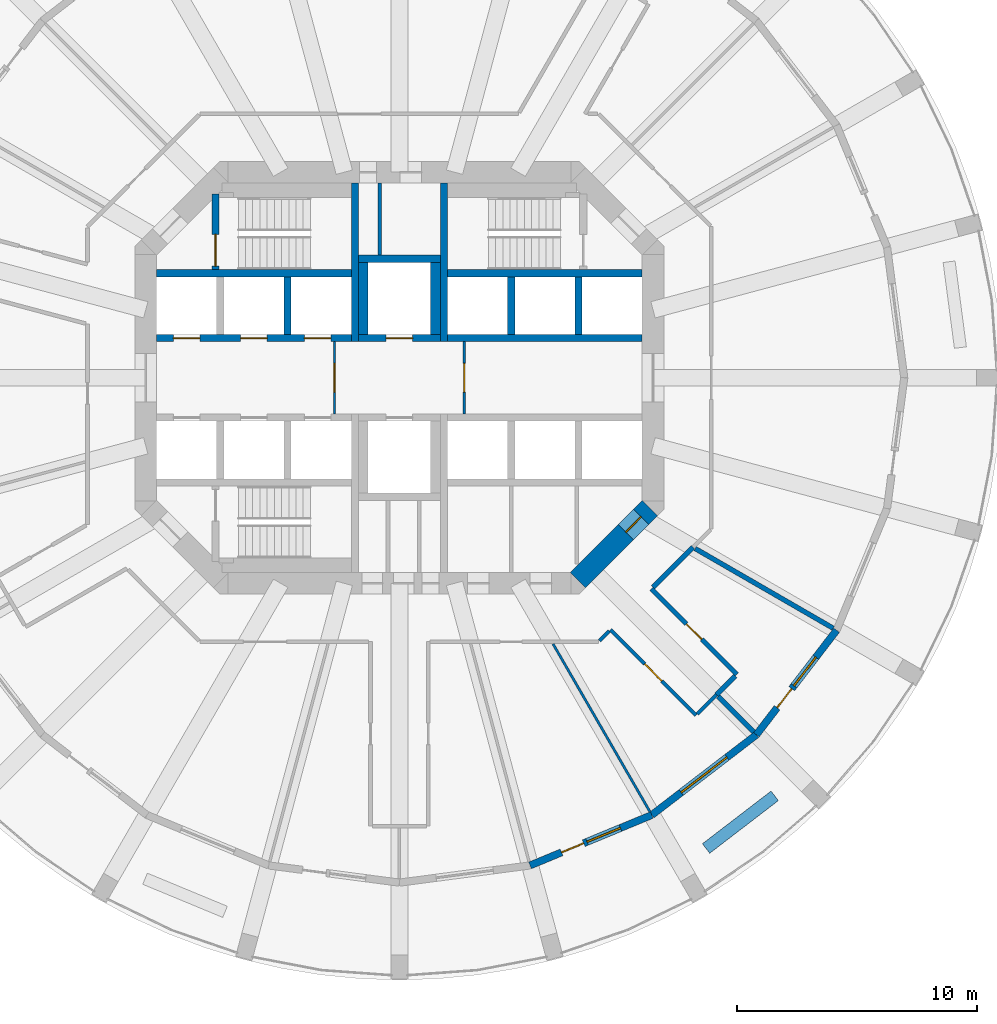
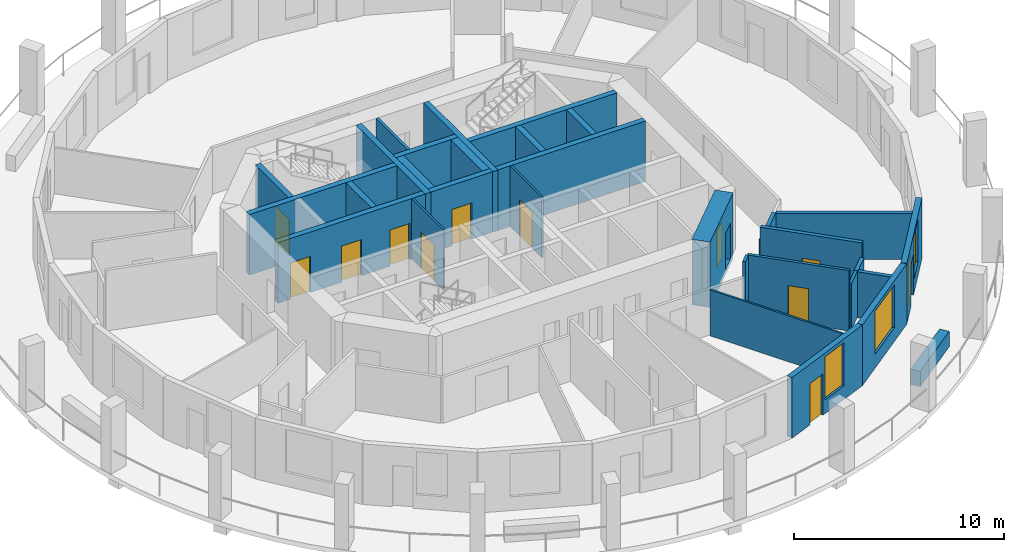
# One storey, part 4 of 8: 31 walls, 12 doors, 3 windows, 15 openings.
"""IFC4 building model written with IfcOpenShell, lengths in metres."""

from ifc_helpers import new_model, si_unit, direction, frame, frame_2d, origin, place, context, subcontext, project, spatial, rectangle, extrude, material, layer, layer_set, type_object, element, fill, save


model = new_model("IFC4")

# Units and contexts
model_context = context("Model", 3, precision=1e-05, world=origin(), true_north=direction((0.0, 1.0)))
body_context = subcontext(model_context, "Body", "Model", "MODEL_VIEW")
ifc_project = project(units=[si_unit("LENGTHUNIT", "METRE"), si_unit("AREAUNIT", "SQUARE_METRE"), si_unit("VOLUMEUNIT", "CUBIC_METRE"), si_unit("PLANEANGLEUNIT", "RADIAN"), si_unit("MASSUNIT", "GRAM", prefix="KILO")], contexts=[model_context])

# Site, building, storey
site_placement = place(None, origin())
site = spatial("IfcSite", under=ifc_project, at=site_placement, CompositionType="ELEMENT")
building_placement = place(site_placement, origin())
building = spatial("IfcBuilding", under=site, at=building_placement, Name="Torre Triforio", CompositionType="ELEMENT")
storey_placement = place(building_placement, frame((0.0, 0.0, 116.199951171875)))
storey = spatial("IfcBuildingStorey", under=building, at=storey_placement, Name="L25", CompositionType="ELEMENT", Elevation=116.199951171875)

# Walls
ifc_material_1 = material(Name="Concrete C60", Category="concrete")
ifc_layer_1 = layer(ifc_material_1, 0.300048828125)
ifc_layer_set_1 = layer_set([ifc_layer_1], Name="Concrete C60")
wall_type_1 = type_object("IfcWallType", Name="Core wall 300 mm C60 EI 120", PredefinedType="SHEAR", material=ifc_layer_set_1)
for number, where, z_axis, x_axis, name in (
    (1, (-1.85009765625, 1.5, 0.0), (0.0, 0.0, 1.0), (0.0, 1.0, 0.0), "Core wall"),
    (2, (1.85009765625, 1.5, 0.0), (0.0, 0.0, 1.0), (0.0, 1.0, 0.0), "Core wall"),
):
    element("IfcWall", number, at=place(storey_placement, frame(where, z_axis=z_axis, x_axis=x_axis)), inside=storey, type_object=wall_type_1, Name=name, PredefinedType="SHEAR", context=body_context, shape_type="SweptSolid", body=[
        extrude(rectangle(XDim=6.60009765625, YDim=0.300048828125, at=frame_2d((3.300048828125, 0.0))), origin(), (0.0, 0.0, 1.0), 3.52001953125),
    ])

# Wall, opening, door
ifc_layer_2 = layer(ifc_material_1, 0.89990234375)
ifc_layer_set_2 = layer_set([ifc_layer_2], Name="Concrete C60")
wall_type_2 = type_object("IfcWallType", Name="Core wall 900 mm C60 EI 120", PredefinedType="SHEAR", material=ifc_layer_set_2)
wall_1_placement = place(storey_placement, frame((10.418212890625, -5.418212890625, -0.280029296875), z_axis=(0.0, 0.0, 1.0), x_axis=(-0.707106781187, -0.707106781187, 0.0)))
wall_1 = element("IfcWall", 3, at=wall_1_placement, inside=storey, type_object=wall_type_2, Name="Core wall", PredefinedType="SHEAR", context=body_context, shape_type="SweptSolid", body=[
    extrude(rectangle(XDim=4.24267578125, YDim=0.89990234375, at=frame_2d((2.121337890625, 0.0))), origin(), (0.0, 0.0, 1.0), 3.800048828125),
])
opening_1_placement = place(wall_1_placement, frame((0.52001953125, 0.0, 0.280029296875)))
opening_1 = element("IfcOpeningElement", 4, at=opening_1_placement, cuts=wall_1, Name="Opening SE-03", PredefinedType="OPENING", context=body_context, shape_type="SweptSolid", body=[
    extrude(rectangle(XDim=0.89990234375, YDim=2.10009765625, at=frame_2d((0.449951171875, 1.050048828125))), frame((0.0, 0.4599609375, 0.0), z_axis=(0.0, -1.0, 0.0), x_axis=(1.0, 0.0, 0.0)), (0.0, 0.0, 1.0), 0.919921875),
])
ifc_material_2 = material(Name="Hollow metal fire door leaf")
door_type_1 = type_object("IfcDoorType", Name="Room door 900 x 2100 EI 60", OperationType="NOTDEFINED", PredefinedType="DOOR", material=ifc_material_2)
door_1_placement = place(opening_1_placement, origin())
door_1 = element("IfcDoor", 5, at=door_1_placement, inside=storey, type_object=door_type_1, Name="Core door SE-03", OperationType="SINGLE_SWING_RIGHT", OverallHeight=2.10009765625, OverallWidth=0.89990234375, PredefinedType="DOOR", context=body_context, shape_type="SweptSolid", body=[
    extrude(rectangle(XDim=0.89990234375, YDim=2.10009765625, at=frame_2d((0.449951171875, 1.050048828125))), frame((0.0, 0.02490234375, 0.0), z_axis=(0.0, -1.0, 0.0), x_axis=(1.0, 0.0, 0.0)), (0.0, 0.0, 1.0), 0.050048828125),
])
fill(opening_1, door_1)

# Wall
ifc_material_3 = material(Name="Plasterboard on metal studs")
ifc_layer_3 = layer(ifc_material_3, 0.14990234375)
ifc_layer_set_3 = layer_set([ifc_layer_3], Name="Plasterboard on metal studs")
wall_type_3 = type_object("IfcWallType", Name="Corridor and tenancy wall 150 mm EI 60", PredefinedType="PARTITIONING", material=ifc_layer_set_3)
wall_2_placement = place(storey_placement, frame((13.1865234375, -13.1865234375, 0.0), z_axis=(0.0, 0.0, 1.0), x_axis=(-0.706998270979, -0.707215274745, 0.0)))
element("IfcWall", 6, at=wall_2_placement, inside=storey, type_object=wall_type_3, Name="Partition 20", PredefinedType="PARTITIONING", context=body_context, shape_type="SweptSolid", body=[
    extrude(rectangle(XDim=1.125, YDim=0.14990234375, at=frame_2d((0.5625, 0.0))), origin(), (0.0, 0.0, 1.0), 2.670166015625),
])

# Wall, opening, door
wall_3_placement = place(storey_placement, frame((12.338134765625, -14.03515625, 0.0), z_axis=(0.0, 0.0, 1.0), x_axis=(-0.707106781187, 0.707106781187, 0.0)))
wall_3 = element("IfcWall", 7, at=wall_3_placement, inside=storey, type_object=wall_type_3, Name="Partition 21", PredefinedType="PARTITIONING", context=body_context, shape_type="SweptSolid", body=[
    extrude(rectangle(XDim=5.025634765625, YDim=0.14990234375, at=frame_2d((2.5126953125, 0.0))), origin(), (0.0, 0.0, 1.0), 3.52001953125),
])
opening_2_placement = place(wall_3_placement, frame((2.0126953125, 0.0, 0.0)))
opening_2 = element("IfcOpeningElement", 8, at=opening_2_placement, cuts=wall_3, Name="Opening D1-10", PredefinedType="OPENING", context=body_context, shape_type="SweptSolid", body=[
    extrude(rectangle(XDim=1.0, YDim=2.10009765625, at=frame_2d((0.5, 1.050048828125))), frame((0.0, 0.0849609375, 0.0), z_axis=(0.0, -1.0, 0.0), x_axis=(1.0, 0.0, 0.0)), (0.0, 0.0, 1.0), 0.169921875),
])
ifc_material_4 = material(Name="Timber", Category="wood")
door_type_2 = type_object("IfcDoorType", Name="Door 1000 x 2100 single leaf EI 30", OperationType="NOTDEFINED", PredefinedType="DOOR", material=ifc_material_4)
door_2_placement = place(opening_2_placement, origin())
door_2 = element("IfcDoor", 9, at=door_2_placement, inside=storey, type_object=door_type_2, Name="Door D1-10", OperationType="SINGLE_SWING_RIGHT", OverallHeight=2.10009765625, OverallWidth=1.0, PredefinedType="DOOR", context=body_context, shape_type="SweptSolid", body=[
    extrude(rectangle(XDim=1.0, YDim=2.10009765625, at=frame_2d((0.5, 1.050048828125))), frame((0.0, 0.02490234375, 0.0), z_axis=(0.0, -1.0, 0.0), x_axis=(1.0, 0.0, 0.0)), (0.0, 0.0, 1.0), 0.050048828125),
])
fill(opening_2, door_2)

# Wall
wall_4_placement = place(storey_placement, frame((8.7314453125, -10.534423828125, 0.0), z_axis=(0.0, 0.0, 1.0), x_axis=(-0.707106781187, -0.707106781187, 0.0)))
element("IfcWall", 10, at=wall_4_placement, inside=storey, type_object=wall_type_3, Name="Partition 22", PredefinedType="PARTITIONING", context=body_context, shape_type="SweptSolid", body=[
    extrude(rectangle(XDim=0.57080078125, YDim=0.14990234375, at=frame_2d((0.285400390625, 0.0))), origin(), (0.0, 0.0, 1.0), 3.52001953125),
])

# Wall, opening, door
ifc_material_5 = material(Name="Block and board partition")
ifc_layer_4 = layer(ifc_material_5, 0.10009765625)
ifc_layer_set_4 = layer_set([ifc_layer_4], Name="Block and board partition")
wall_type_4 = type_object("IfcWallType", Name="Partition 100 mm EI 120", PredefinedType="PARTITIONING", material=ifc_layer_set_4)
wall_5_placement = place(storey_placement, frame((-2.699951171875, -1.5, 0.0), z_axis=(0.0, 0.0, 1.0), x_axis=(0.0, 1.0, 0.0)))
wall_5 = element("IfcWall", 11, at=wall_5_placement, inside=storey, type_object=wall_type_4, Name="Partition", PredefinedType="PARTITIONING", context=body_context, shape_type="SweptSolid", body=[
    extrude(rectangle(XDim=3.0, YDim=0.10009765625, at=frame_2d((1.5, 0.0))), origin(), (0.0, 0.0, 1.0), 3.52001953125),
])
opening_3_placement = place(wall_5_placement, frame((0.89990234375, 0.0, 0.0)))
opening_3 = element("IfcOpeningElement", 12, at=opening_3_placement, cuts=wall_5, Name="Opening FF-W", PredefinedType="OPENING", context=body_context, shape_type="SweptSolid", body=[
    extrude(rectangle(XDim=1.199951171875, YDim=2.10009765625, at=frame_2d((0.60009765625, 1.050048828125))), frame((0.0, 0.06005859375, 0.0), z_axis=(0.0, -1.0, 0.0), x_axis=(1.0, 0.0, 0.0)), (0.0, 0.0, 1.0), 0.1201171875),
])
door_type_3 = type_object("IfcDoorType", Name="Fire-fighting lobby door 1200 x 2100 EI 60", OperationType="NOTDEFINED", PredefinedType="DOOR", material=ifc_material_2)
door_3_placement = place(opening_3_placement, origin())
door_3 = element("IfcDoor", 13, at=door_3_placement, inside=storey, type_object=door_type_3, Name="Core door FF-W", OperationType="SINGLE_SWING_LEFT", OverallHeight=2.10009765625, OverallWidth=1.199951171875, PredefinedType="DOOR", context=body_context, shape_type="SweptSolid", body=[
    extrude(rectangle(XDim=1.199951171875, YDim=2.10009765625, at=frame_2d((0.60009765625, 1.050048828125))), frame((0.0, 0.02490234375, 0.0), z_axis=(0.0, -1.0, 0.0), x_axis=(1.0, 0.0, 0.0)), (0.0, 0.0, 1.0), 0.050048828125),
])
fill(opening_3, door_3)

wall_6_placement = place(storey_placement, frame((2.699951171875, -1.5, 0.0), z_axis=(0.0, 0.0, 1.0), x_axis=(0.0, 1.0, 0.0)))
wall_6 = element("IfcWall", 14, at=wall_6_placement, inside=storey, type_object=wall_type_4, Name="Partition", PredefinedType="PARTITIONING", context=body_context, shape_type="SweptSolid", body=[
    extrude(rectangle(XDim=3.0, YDim=0.10009765625, at=frame_2d((1.5, 0.0))), origin(), (0.0, 0.0, 1.0), 3.52001953125),
])
opening_4_placement = place(wall_6_placement, frame((0.89990234375, 0.0, 0.0)))
opening_4 = element("IfcOpeningElement", 15, at=opening_4_placement, cuts=wall_6, Name="Opening FF-E", PredefinedType="OPENING", context=body_context, shape_type="SweptSolid", body=[
    extrude(rectangle(XDim=1.199951171875, YDim=2.10009765625, at=frame_2d((0.60009765625, 1.050048828125))), frame((0.0, 0.06005859375, 0.0), z_axis=(0.0, -1.0, 0.0), x_axis=(1.0, 0.0, 0.0)), (0.0, 0.0, 1.0), 0.1201171875),
])
door_4_placement = place(opening_4_placement, origin())
door_4 = element("IfcDoor", 16, at=door_4_placement, inside=storey, type_object=door_type_3, Name="Core door FF-E", OperationType="SINGLE_SWING_LEFT", OverallHeight=2.10009765625, OverallWidth=1.199951171875, PredefinedType="DOOR", context=body_context, shape_type="SweptSolid", body=[
    extrude(rectangle(XDim=1.199951171875, YDim=2.10009765625, at=frame_2d((0.60009765625, 1.050048828125))), frame((0.0, 0.02490234375, 0.0), z_axis=(0.0, -1.0, 0.0), x_axis=(1.0, 0.0, 0.0)), (0.0, 0.0, 1.0), 0.050048828125),
])
fill(opening_4, door_4)

# Walls
ifc_layer_5 = layer(ifc_material_3, 0.10009765625)
ifc_layer_set_5 = layer_set([ifc_layer_5], Name="Plasterboard on metal studs")
wall_type_5 = type_object("IfcWallType", Name="Partition 100 mm board on metal studs", PredefinedType="PARTITIONING", material=ifc_layer_set_5)
wall_7_placement = place(storey_placement, frame((6.393798828125, -11.07470703125, 0.0), z_axis=(0.0, 0.0, 1.0), x_axis=(0.500024397361, -0.866011317503, 0.0)))
element("IfcWall", 17, at=wall_7_placement, inside=storey, type_object=wall_type_5, Name="Partition 41", PredefinedType="PARTITIONING", context=body_context, shape_type="SweptSolid", body=[
    extrude(rectangle(XDim=8.048828125, YDim=0.10009765625, at=frame_2d((4.0244140625, 0.0))), origin(), (0.0, 0.0, 1.0), 2.670166015625),
])
ifc_layer_6 = layer(ifc_material_5, 0.14990234375)
ifc_layer_set_6 = layer_set([ifc_layer_6], Name="Block and board partition")
wall_type_6 = type_object("IfcWallType", Name="Partition 150 mm EI 120", PredefinedType="PARTITIONING", material=ifc_layer_set_6)
wall_8_placement = place(storey_placement, frame((-0.824951171875, 5.10009765625, 0.0), z_axis=(0.0, 0.0, 1.0), x_axis=(0.0, 1.0, 0.0)))
element("IfcWall", 18, at=wall_8_placement, inside=storey, type_object=wall_type_6, Name="Partition", PredefinedType="PARTITIONING", context=body_context, shape_type="SweptSolid", body=[
    extrude(rectangle(XDim=3.0, YDim=0.14990234375, at=frame_2d((1.5, 0.0))), origin(), (0.0, 0.0, 1.0), 3.52001953125),
])
ifc_material_6 = material(Name="Masonry block", Category="masonry")
ifc_layer_7 = layer(ifc_material_6, 0.199951171875)
ifc_layer_set_7 = layer_set([ifc_layer_7], Name="Masonry block")
wall_type_7 = type_object("IfcWallType", Name="Plant room wall 200 mm block EI 120", PredefinedType="PARTITIONING", material=ifc_layer_set_7)
wall_9_placement = place(storey_placement, frame((12.214111328125, -7.0517578125, 0.0), z_axis=(0.0, 0.0, 1.0), x_axis=(-0.707106781187, -0.707106781187, 0.0)))
element("IfcWall", 19, at=wall_9_placement, inside=storey, type_object=wall_type_7, Name="Partition 17", PredefinedType="PARTITIONING", context=body_context, shape_type="SweptSolid", body=[
    extrude(rectangle(XDim=2.350341796875, YDim=0.199951171875, at=frame_2d((1.17529296875, 0.0))), origin(), (0.0, 0.0, 1.0), 2.670166015625),
])

# Wall, opening, door
wall_10_placement = place(storey_placement, frame((10.4814453125, -8.784423828125, 0.0), z_axis=(0.0, 0.0, 1.0), x_axis=(0.707106781187, -0.707106781187, 0.0)))
wall_10 = element("IfcWall", 20, at=wall_10_placement, inside=storey, type_object=wall_type_7, Name="Partition 18", PredefinedType="PARTITIONING", context=body_context, shape_type="SweptSolid", body=[
    extrude(rectangle(XDim=5.025634765625, YDim=0.199951171875, at=frame_2d((2.5126953125, 0.0))), origin(), (0.0, 0.0, 1.0), 3.52001953125),
])
opening_5_placement = place(wall_10_placement, frame((2.062744140625, 0.0, 0.0)))
opening_5 = element("IfcOpeningElement", 21, at=opening_5_placement, cuts=wall_10, Name="Opening D1-11", PredefinedType="OPENING", context=body_context, shape_type="SweptSolid", body=[
    extrude(rectangle(XDim=0.89990234375, YDim=2.10009765625, at=frame_2d((0.449951171875, 1.050048828125))), frame((0.0, 0.10986328125, 0.0), z_axis=(0.0, -1.0, 0.0), x_axis=(1.0, 0.0, 0.0)), (0.0, 0.0, 1.0), 0.219970703125),
])
door_type_4 = type_object("IfcDoorType", Name="Door 900 x 2100 single leaf EI 60", OperationType="NOTDEFINED", PredefinedType="DOOR", material=ifc_material_2)
door_5_placement = place(opening_5_placement, origin())
door_5 = element("IfcDoor", 22, at=door_5_placement, inside=storey, type_object=door_type_4, Name="Door D1-11", OperationType="SINGLE_SWING_RIGHT", OverallHeight=2.10009765625, OverallWidth=0.89990234375, PredefinedType="DOOR", context=body_context, shape_type="SweptSolid", body=[
    extrude(rectangle(XDim=0.89990234375, YDim=2.10009765625, at=frame_2d((0.449951171875, 1.050048828125))), frame((0.0, 0.02490234375, 0.0), z_axis=(0.0, -1.0, 0.0), x_axis=(1.0, 0.0, 0.0)), (0.0, 0.0, 1.0), 0.050048828125),
])
fill(opening_5, door_5)

# Walls
wall_11_placement = place(storey_placement, frame((13.96435546875, -12.40869140625, 0.0), z_axis=(0.0, 0.0, 1.0), x_axis=(-0.707106781187, -0.707106781187, 0.0)))
element("IfcWall", 23, at=wall_11_placement, inside=storey, type_object=wall_type_7, Name="Partition 19", PredefinedType="PARTITIONING", context=body_context, shape_type="SweptSolid", body=[
    extrude(rectangle(XDim=1.10009765625, YDim=0.199951171875, at=frame_2d((0.550048828125, 0.0))), origin(), (0.0, 0.0, 1.0), 2.670166015625),
])
wall_12_placement = place(storey_placement, frame((13.25732421875, -13.25732421875, 0.0), z_axis=(0.0, 0.0, 1.0), x_axis=(0.707106781187, -0.707106781187, 0.0)))
element("IfcWall", 24, at=wall_12_placement, inside=storey, type_object=wall_type_7, Name="Partition 42", PredefinedType="PARTITIONING", context=body_context, shape_type="SweptSolid", body=[
    extrude(rectangle(XDim=2.088134765625, YDim=0.199951171875, at=frame_2d((1.0439453125, 0.0))), origin(), (0.0, 0.0, 1.0), 2.670166015625),
])
wall_13_placement = place(storey_placement, frame((12.304931640625, -7.104248046875, 0.0), z_axis=(0.0, 0.0, 1.0), x_axis=(0.866019973495, -0.500009405419, 0.0)))
element("IfcWall", 25, at=wall_13_placement, inside=storey, type_object=wall_type_7, Name="Partition 43", PredefinedType="PARTITIONING", context=body_context, shape_type="SweptSolid", body=[
    extrude(rectangle(XDim=6.628173828125, YDim=0.199951171875, at=frame_2d((3.31396484375, 0.0))), origin(), (0.0, 0.0, 1.0), 2.670166015625),
])
ifc_material_7 = material(Name="Limestone cladding", Category="masonry")
ifc_layer_8 = layer(ifc_material_7, 0.10009765625)
ifc_material_8 = material(Name="Concrete C40", Category="concrete")
ifc_layer_9 = layer(ifc_material_8, 0.39990234375)
ifc_layer_set_8 = layer_set([ifc_layer_8, ifc_layer_9], Name="Limestone cladding / Concrete C40")
wall_type_8 = type_object("IfcWallType", Name="Planter wall 500", PredefinedType="PARAPET", material=ifc_layer_set_8)
wall_14_placement = place(storey_placement, frame((12.756103515625, -19.580810546875, 0.0), z_axis=(0.0, 0.0, 1.0), x_axis=(0.793384730612, 0.608720518162, 0.0)))
element("IfcWall", 26, at=wall_14_placement, inside=storey, type_object=wall_type_8, Name="Planter L25 bay 21", PredefinedType="PARAPET", context=body_context, shape_type="SweptSolid", body=[
    extrude(rectangle(XDim=3.60009765625, YDim=0.5, at=frame_2d((1.800048828125, 0.0))), origin(), (0.0, 0.0, 1.0), 0.900146484375),
])
ifc_layer_10 = layer(ifc_material_1, 0.300048828125)
ifc_layer_set_9 = layer_set([ifc_layer_10], Name="Concrete C60")
wall_type_9 = type_object("IfcWallType", Name="Shaft wall 300 mm C60 EI 120", PredefinedType="SOLIDWALL", material=ifc_layer_set_9)
for number, where, z_axis, x_axis, name in (
    (27, (-10.10009765625, 4.35009765625, 0.0), (0.0, 0.0, 1.0), (1.0, 0.0, 0.0), "Shaft wall"),
    (28, (2.0, 4.35009765625, 0.0), (0.0, 0.0, 1.0), (1.0, 0.0, 0.0), "Shaft wall"),
):
    element("IfcWall", number, at=place(storey_placement, frame(where, z_axis=z_axis, x_axis=x_axis)), inside=storey, type_object=wall_type_9, Name=name, PredefinedType="SOLIDWALL", context=body_context, shape_type="SweptSolid", body=[
        extrude(rectangle(XDim=8.10009765625, YDim=0.300048828125, at=frame_2d((4.050048828125, 0.0))), origin(), (0.0, 0.0, 1.0), 3.52001953125),
    ])

# Wall, openings, doors
wall_15_placement = place(storey_placement, frame((-10.10009765625, 1.64990234375, 0.0), z_axis=(0.0, 0.0, 1.0), x_axis=(1.0, 0.0, 0.0)))
wall_15 = element("IfcWall", 29, at=wall_15_placement, inside=storey, type_object=wall_type_9, Name="Shaft wall", PredefinedType="SOLIDWALL", context=body_context, shape_type="SweptSolid", body=[
    extrude(rectangle(XDim=8.10009765625, YDim=0.300048828125, at=frame_2d((4.050048828125, 0.0))), origin(), (0.0, 0.0, 1.0), 3.52001953125),
])
opening_6_placement = place(wall_15_placement, frame((0.699951171875, 0.0, 0.0)))
opening_6 = element("IfcOpeningElement", 30, at=opening_6_placement, cuts=wall_15, Name="Opening LD", PredefinedType="OPENING", context=body_context, shape_type="SweptSolid", body=[
    extrude(rectangle(XDim=1.10009765625, YDim=2.10009765625, at=frame_2d((0.550048828125, 1.050048828125))), frame((0.0, 0.159912109375, 0.0), z_axis=(0.0, -1.0, 0.0), x_axis=(1.0, 0.0, 0.0)), (0.0, 0.0, 1.0), 0.320068359375),
])
opening_7_placement = place(wall_15_placement, frame((3.5, 0.0, 0.0)))
opening_7 = element("IfcOpeningElement", 31, at=opening_7_placement, cuts=wall_15, Name="Opening LD", PredefinedType="OPENING", context=body_context, shape_type="SweptSolid", body=[
    extrude(rectangle(XDim=1.10009765625, YDim=2.10009765625, at=frame_2d((0.550048828125, 1.050048828125))), frame((0.0, 0.159912109375, 0.0), z_axis=(0.0, -1.0, 0.0), x_axis=(1.0, 0.0, 0.0)), (0.0, 0.0, 1.0), 0.320068359375),
])
opening_8_placement = place(wall_15_placement, frame((6.14990234375, 0.0, 0.0)))
opening_8 = element("IfcOpeningElement", 32, at=opening_8_placement, cuts=wall_15, Name="Opening LD", PredefinedType="OPENING", context=body_context, shape_type="SweptSolid", body=[
    extrude(rectangle(XDim=1.10009765625, YDim=2.10009765625, at=frame_2d((0.550048828125, 1.050048828125))), frame((0.0, 0.159912109375, 0.0), z_axis=(0.0, -1.0, 0.0), x_axis=(1.0, 0.0, 0.0)), (0.0, 0.0, 1.0), 0.320068359375),
])
door_type_5 = type_object("IfcDoorType", Name="Landing door 1100 x 2100 EI 60", OperationType="DOUBLE_DOOR_SLIDING", PredefinedType="DOOR", material=ifc_material_2)
door_6_placement = place(opening_6_placement, origin())
door_6 = element("IfcDoor", 33, at=door_6_placement, inside=storey, type_object=door_type_5, Name="Landing door LR1", OperationType="DOUBLE_DOOR_SLIDING", OverallHeight=2.10009765625, OverallWidth=1.10009765625, PredefinedType="DOOR", context=body_context, shape_type="SweptSolid", body=[
    extrude(rectangle(XDim=1.10009765625, YDim=2.10009765625, at=frame_2d((0.550048828125, 1.050048828125))), frame((0.0, 0.02490234375, 0.0), z_axis=(0.0, -1.0, 0.0), x_axis=(1.0, 0.0, 0.0)), (0.0, 0.0, 1.0), 0.050048828125),
])
fill(opening_6, door_6)
door_7_placement = place(opening_7_placement, origin())
door_7 = element("IfcDoor", 34, at=door_7_placement, inside=storey, type_object=door_type_5, Name="Landing door LR2", OperationType="DOUBLE_DOOR_SLIDING", OverallHeight=2.10009765625, OverallWidth=1.10009765625, PredefinedType="DOOR", context=body_context, shape_type="SweptSolid", body=[
    extrude(rectangle(XDim=1.10009765625, YDim=2.10009765625, at=frame_2d((0.550048828125, 1.050048828125))), frame((0.0, 0.02490234375, 0.0), z_axis=(0.0, -1.0, 0.0), x_axis=(1.0, 0.0, 0.0)), (0.0, 0.0, 1.0), 0.050048828125),
])
fill(opening_7, door_7)
door_8_placement = place(opening_8_placement, origin())
door_8 = element("IfcDoor", 35, at=door_8_placement, inside=storey, type_object=door_type_5, Name="Landing door LR3", OperationType="DOUBLE_DOOR_SLIDING", OverallHeight=2.10009765625, OverallWidth=1.10009765625, PredefinedType="DOOR", context=body_context, shape_type="SweptSolid", body=[
    extrude(rectangle(XDim=1.10009765625, YDim=2.10009765625, at=frame_2d((0.550048828125, 1.050048828125))), frame((0.0, 0.02490234375, 0.0), z_axis=(0.0, -1.0, 0.0), x_axis=(1.0, 0.0, 0.0)), (0.0, 0.0, 1.0), 0.050048828125),
])
fill(opening_8, door_8)

# Walls
wall_16_placement = place(storey_placement, frame((2.0, 1.64990234375, 0.0), z_axis=(0.0, 0.0, 1.0), x_axis=(1.0, 0.0, 0.0)))
element("IfcWall", 36, at=wall_16_placement, inside=storey, type_object=wall_type_9, Name="Shaft wall", PredefinedType="SOLIDWALL", context=body_context, shape_type="SweptSolid", body=[
    extrude(rectangle(XDim=8.10009765625, YDim=0.300048828125, at=frame_2d((4.050048828125, 0.0))), origin(), (0.0, 0.0, 1.0), 3.52001953125),
])
for number, where, z_axis, x_axis, name in (
    (37, (-4.64990234375, 1.800048828125, 0.0), (0.0, 0.0, 1.0), (0.0, 1.0, 0.0), "Shaft wall"),
    (38, (4.64990234375, 1.800048828125, 0.0), (0.0, 0.0, 1.0), (0.0, 1.0, 0.0), "Shaft wall"),
    (39, (7.449951171875, 1.800048828125, 0.0), (0.0, 0.0, 1.0), (0.0, 1.0, 0.0), "Shaft wall"),
):
    element("IfcWall", number, at=place(storey_placement, frame(where, z_axis=z_axis, x_axis=x_axis)), inside=storey, type_object=wall_type_9, Name=name, PredefinedType="SOLIDWALL", context=body_context, shape_type="SweptSolid", body=[
        extrude(rectangle(XDim=2.39990234375, YDim=0.300048828125, at=frame_2d((1.199951171875, 0.0))), origin(), (0.0, 0.0, 1.0), 3.52001953125),
    ])

# Wall, opening, door
wall_17_placement = place(storey_placement, frame((-1.699951171875, 1.64990234375, 0.0), z_axis=(0.0, 0.0, 1.0), x_axis=(1.0, 0.0, 0.0)))
wall_17 = element("IfcWall", 40, at=wall_17_placement, inside=storey, type_object=wall_type_9, Name="Shaft wall", PredefinedType="SOLIDWALL", context=body_context, shape_type="SweptSolid", body=[
    extrude(rectangle(XDim=3.39990234375, YDim=0.300048828125, at=frame_2d((1.699951171875, 0.0))), origin(), (0.0, 0.0, 1.0), 3.52001953125),
])
opening_9_placement = place(wall_17_placement, frame((1.14990234375, 0.0, 0.0)))
opening_9 = element("IfcOpeningElement", 41, at=opening_9_placement, cuts=wall_17, Name="Opening LD", PredefinedType="OPENING", context=body_context, shape_type="SweptSolid", body=[
    extrude(rectangle(XDim=1.10009765625, YDim=2.10009765625, at=frame_2d((0.550048828125, 1.050048828125))), frame((0.0, 0.159912109375, 0.0), z_axis=(0.0, -1.0, 0.0), x_axis=(1.0, 0.0, 0.0)), (0.0, 0.0, 1.0), 0.320068359375),
])
door_9_placement = place(opening_9_placement, origin())
door_9 = element("IfcDoor", 42, at=door_9_placement, inside=storey, type_object=door_type_5, Name="Landing door FFL1", OperationType="DOUBLE_DOOR_SLIDING", OverallHeight=2.10009765625, OverallWidth=1.10009765625, PredefinedType="DOOR", context=body_context, shape_type="SweptSolid", body=[
    extrude(rectangle(XDim=1.10009765625, YDim=2.10009765625, at=frame_2d((0.550048828125, 1.050048828125))), frame((0.0, 0.02490234375, 0.0), z_axis=(0.0, -1.0, 0.0), x_axis=(1.0, 0.0, 0.0)), (0.0, 0.0, 1.0), 0.050048828125),
])
fill(opening_9, door_9)

# Walls
wall_18_placement = place(storey_placement, frame((-1.699951171875, 4.949951171875, 0.0), z_axis=(0.0, 0.0, 1.0), x_axis=(1.0, 0.0, 0.0)))
element("IfcWall", 43, at=wall_18_placement, inside=storey, type_object=wall_type_9, Name="Shaft wall", PredefinedType="SOLIDWALL", context=body_context, shape_type="SweptSolid", body=[
    extrude(rectangle(XDim=3.39990234375, YDim=0.300048828125, at=frame_2d((1.699951171875, 0.0))), origin(), (0.0, 0.0, 1.0), 3.52001953125),
])
ifc_layer_11 = layer(ifc_material_1, 0.39990234375)
ifc_layer_set_10 = layer_set([ifc_layer_11], Name="Concrete C60")
wall_type_10 = type_object("IfcWallType", Name="Shaft wall 400 mm C60 EI 120", PredefinedType="SOLIDWALL", material=ifc_layer_set_10)
for number, where, z_axis, x_axis, name in (
    (44, (-1.5, 1.800048828125, 0.0), (0.0, 0.0, 1.0), (0.0, 1.0, 0.0), "Shaft wall"),
    (45, (1.5, 1.800048828125, 0.0), (0.0, 0.0, 1.0), (0.0, 1.0, 0.0), "Shaft wall"),
):
    element("IfcWall", number, at=place(storey_placement, frame(where, z_axis=z_axis, x_axis=x_axis)), inside=storey, type_object=wall_type_10, Name=name, PredefinedType="SOLIDWALL", context=body_context, shape_type="SweptSolid", body=[
        extrude(rectangle(XDim=3.0, YDim=0.39990234375, at=frame_2d((1.5, 0.0))), origin(), (0.0, 0.0, 1.0), 3.52001953125),
    ])

# Wall, opening, door
ifc_layer_12 = layer(ifc_material_1, 0.300048828125)
ifc_layer_set_11 = layer_set([ifc_layer_12], Name="Concrete C60")
wall_type_11 = type_object("IfcWallType", Name="Stair wall 300 mm C60 EI 120", PredefinedType="SHEAR", material=ifc_layer_set_11)
wall_19_placement = place(storey_placement, frame((-7.64990234375, 4.5, 0.0), z_axis=(0.0, 0.0, 1.0), x_axis=(0.0, 1.0, 0.0)))
wall_19 = element("IfcWall", 46, at=wall_19_placement, inside=storey, type_object=wall_type_11, Name="Stair wall", PredefinedType="SHEAR", context=body_context, shape_type="SweptSolid", body=[
    extrude(rectangle(XDim=3.139892578125, YDim=0.300048828125, at=frame_2d((1.56982421875, 0.0))), origin(), (0.0, 0.0, 1.0), 3.52001953125),
])
opening_10_placement = place(wall_19_placement, frame((0.139892578125, 0.0, 0.0)))
opening_10 = element("IfcOpeningElement", 47, at=opening_10_placement, cuts=wall_19, Name="Opening ST1-STA", PredefinedType="OPENING", context=body_context, shape_type="SweptSolid", body=[
    extrude(rectangle(XDim=1.320068359375, YDim=2.10009765625, at=frame_2d((0.66015625, 1.050048828125))), frame((0.0, 0.159912109375, 0.0), z_axis=(0.0, -1.0, 0.0), x_axis=(1.0, 0.0, 0.0)), (0.0, 0.0, 1.0), 0.320068359375),
])
door_type_6 = type_object("IfcDoorType", Name="Stair door 1320 x 2100 EI 90", OperationType="DOUBLE_DOOR_SINGLE_SWING", PredefinedType="DOOR", material=ifc_material_2)
door_10_placement = place(opening_10_placement, origin())
door_10 = element("IfcDoor", 48, at=door_10_placement, inside=storey, type_object=door_type_6, Name="Core door ST1-ST", OperationType="DOUBLE_DOOR_SINGLE_SWING", OverallHeight=2.10009765625, OverallWidth=1.320068359375, PredefinedType="DOOR", context=body_context, shape_type="SweptSolid", body=[
    extrude(rectangle(XDim=1.320068359375, YDim=2.10009765625, at=frame_2d((0.66015625, 1.050048828125))), frame((0.0, 0.02490234375, 0.0), z_axis=(0.0, -1.0, 0.0), x_axis=(1.0, 0.0, 0.0)), (0.0, 0.0, 1.0), 0.050048828125),
])
fill(opening_10, door_10)

# Wall, openings, door, window
ifc_layer_13 = layer(ifc_material_7, 0.10009765625)
ifc_layer_14 = layer(ifc_material_8, 0.199951171875)
ifc_layer_set_12 = layer_set([ifc_layer_13, ifc_layer_14], Name="Limestone cladding / Concrete C40")
wall_type_12 = type_object("IfcWallType", Name="Stone-faced composite wall 300", PredefinedType="STANDARD", material=ifc_layer_set_12)
wall_20_placement = place(storey_placement, frame((5.435302734375, -20.284423828125, 0.0), z_axis=(0.0, 0.0, 1.0), x_axis=(0.923877333662, 0.382688740813, 0.0)))
wall_20 = element("IfcWall", 49, at=wall_20_placement, inside=storey, type_object=wall_type_12, Name="External wall L25 bay 20", PredefinedType="STANDARD", context=body_context, shape_type="SweptSolid", body=[
    extrude(rectangle(XDim=5.48193359375, YDim=0.300048828125, at=frame_2d((2.740966796875, 0.0))), origin(), (0.0, 0.0, 1.0), 3.52001953125),
])
opening_11_placement = place(wall_20_placement, frame((1.416015625, 0.0, 0.0)))
opening_11 = element("IfcOpeningElement", 50, at=opening_11_placement, cuts=wall_20, Name="Opening D1-D20", PredefinedType="OPENING", context=body_context, shape_type="SweptSolid", body=[
    extrude(rectangle(XDim=1.0, YDim=2.39990234375, at=frame_2d((0.5, 1.199951171875))), frame((0.0, 0.159912109375, 0.0), z_axis=(0.0, -1.0, 0.0), x_axis=(1.0, 0.0, 0.0)), (0.0, 0.0, 1.0), 0.320068359375),
])
opening_12_placement = place(wall_20_placement, frame((2.566162109375, 0.0, 0.800048828125)))
opening_12 = element("IfcOpeningElement", 51, at=opening_12_placement, cuts=wall_20, Name="Opening D1-W20A", PredefinedType="OPENING", context=body_context, shape_type="SweptSolid", body=[
    extrude(rectangle(XDim=1.5, YDim=2.5, at=frame_2d((0.75, 1.25))), frame((0.0, 0.159912109375, 0.0), z_axis=(0.0, -1.0, 0.0), x_axis=(1.0, 0.0, 0.0)), (0.0, 0.0, 1.0), 0.320068359375),
])
ifc_material_9 = material(Name="Aluminium frame with clear double glazing", Category="aluminium")
door_type_7 = type_object("IfcDoorType", Name="Loggia door 1000 x 2400", OperationType="NOTDEFINED", PredefinedType="DOOR", material=ifc_material_9)
door_11_placement = place(opening_11_placement, origin())
door_11 = element("IfcDoor", 52, at=door_11_placement, inside=storey, type_object=door_type_7, Name="Loggia door L25 bay 20", OperationType="SINGLE_SWING_LEFT", OverallHeight=2.39990234375, OverallWidth=1.0, PredefinedType="DOOR", context=body_context, shape_type="SweptSolid", body=[
    extrude(rectangle(XDim=1.0, YDim=2.39990234375, at=frame_2d((0.5, 1.199951171875))), frame((0.0, 0.02490234375, 0.0), z_axis=(0.0, -1.0, 0.0), x_axis=(1.0, 0.0, 0.0)), (0.0, 0.0, 1.0), 0.050048828125),
])
fill(opening_11, door_11)
window_type_1 = type_object("IfcWindowType", Name="Side window 1500 x 2500", PartitioningType="SINGLE_PANEL", PredefinedType="WINDOW", material=ifc_material_9)
window_1_placement = place(opening_12_placement, origin())
window_1 = element("IfcWindow", 53, at=window_1_placement, inside=storey, type_object=window_type_1, Name="Side window EWN13 L25 bay 20", OverallHeight=2.5, OverallWidth=1.5, PartitioningType="SINGLE_PANEL", PredefinedType="WINDOW", context=body_context, shape_type="SweptSolid", body=[
    extrude(rectangle(XDim=1.5, YDim=2.5, at=frame_2d((0.75, 1.25))), frame((0.0, 0.030029296875, 0.0), z_axis=(0.0, -1.0, 0.0), x_axis=(1.0, 0.0, 0.0)), (0.0, 0.0, 1.0), 0.06005859375),
])
fill(opening_12, window_1)

# Wall, opening, window
wall_21_placement = place(storey_placement, frame((10.5, -18.1865234375, 0.0), z_axis=(0.0, 0.0, 1.0), x_axis=(0.793335336593, 0.608784891166, 0.0)))
wall_21 = element("IfcWall", 54, at=wall_21_placement, inside=storey, type_object=wall_type_12, Name="External wall L25 bay 21", PredefinedType="STANDARD", context=body_context, shape_type="SweptSolid", body=[
    extrude(rectangle(XDim=5.482177734375, YDim=0.300048828125, at=frame_2d((2.7412109375, 0.0))), origin(), (0.0, 0.0, 1.0), 3.52001953125),
])
opening_13_placement = place(wall_21_placement, frame((1.541015625, 0.0, 0.800048828125)))
opening_13 = element("IfcOpeningElement", 55, at=opening_13_placement, cuts=wall_21, Name="Opening D1-W21", PredefinedType="OPENING", context=body_context, shape_type="SweptSolid", body=[
    extrude(rectangle(XDim=2.39990234375, YDim=2.5, at=frame_2d((1.199951171875, 1.25))), frame((0.0, 0.159912109375, 0.0), z_axis=(0.0, -1.0, 0.0), x_axis=(1.0, 0.0, 0.0)), (0.0, 0.0, 1.0), 0.320068359375),
])
window_type_2 = type_object("IfcWindowType", Name="Punched window 2400 x 2500", PartitioningType="DOUBLE_PANEL_VERTICAL", PredefinedType="WINDOW", material=ifc_material_9)
window_2_placement = place(opening_13_placement, origin())
window_2 = element("IfcWindow", 56, at=window_2_placement, inside=storey, type_object=window_type_2, Name="Window EWN3 L25 bay 21", OverallHeight=2.5, OverallWidth=2.39990234375, PartitioningType="SINGLE_PANEL", PredefinedType="WINDOW", context=body_context, shape_type="SweptSolid", body=[
    extrude(rectangle(XDim=2.39990234375, YDim=2.5, at=frame_2d((1.199951171875, 1.25))), frame((0.0, 0.030029296875, 0.0), z_axis=(0.0, -1.0, 0.0), x_axis=(1.0, 0.0, 0.0)), (0.0, 0.0, 1.0), 0.06005859375),
])
fill(opening_13, window_2)

# Wall, openings, door, window
wall_22_placement = place(storey_placement, frame((14.84912109375, -14.84912109375, 0.0), z_axis=(0.0, 0.0, 1.0), x_axis=(0.608784891166, 0.793335336593, 0.0)))
wall_22 = element("IfcWall", 57, at=wall_22_placement, inside=storey, type_object=wall_type_12, Name="External wall L25 bay 22", PredefinedType="STANDARD", context=body_context, shape_type="SweptSolid", body=[
    extrude(rectangle(XDim=5.482177734375, YDim=0.300048828125, at=frame_2d((2.7412109375, 0.0))), origin(), (0.0, 0.0, 1.0), 3.52001953125),
])
opening_14_placement = place(wall_22_placement, frame((1.416015625, 0.0, 0.0)))
opening_14 = element("IfcOpeningElement", 58, at=opening_14_placement, cuts=wall_22, Name="Opening D1-D22", PredefinedType="OPENING", context=body_context, shape_type="SweptSolid", body=[
    extrude(rectangle(XDim=1.0, YDim=2.39990234375, at=frame_2d((0.5, 1.199951171875))), frame((0.0, 0.159912109375, 0.0), z_axis=(0.0, -1.0, 0.0), x_axis=(1.0, 0.0, 0.0)), (0.0, 0.0, 1.0), 0.320068359375),
])
opening_15_placement = place(wall_22_placement, frame((2.56591796875, 0.0, 0.800048828125)))
opening_15 = element("IfcOpeningElement", 59, at=opening_15_placement, cuts=wall_22, Name="Opening D1-W22A", PredefinedType="OPENING", context=body_context, shape_type="SweptSolid", body=[
    extrude(rectangle(XDim=1.5, YDim=2.5, at=frame_2d((0.75, 1.25))), frame((0.0, 0.159912109375, 0.0), z_axis=(0.0, -1.0, 0.0), x_axis=(1.0, 0.0, 0.0)), (0.0, 0.0, 1.0), 0.320068359375),
])
door_12_placement = place(opening_14_placement, origin())
door_12 = element("IfcDoor", 60, at=door_12_placement, inside=storey, type_object=door_type_7, Name="Loggia door L25 bay 22", OperationType="SINGLE_SWING_RIGHT", OverallHeight=2.39990234375, OverallWidth=1.0, PredefinedType="DOOR", context=body_context, shape_type="SweptSolid", body=[
    extrude(rectangle(XDim=1.0, YDim=2.39990234375, at=frame_2d((0.5, 1.199951171875))), frame((0.0, 0.02490234375, 0.0), z_axis=(0.0, -1.0, 0.0), x_axis=(1.0, 0.0, 0.0)), (0.0, 0.0, 1.0), 0.050048828125),
])
fill(opening_14, door_12)
window_3_placement = place(opening_15_placement, origin())
window_3 = element("IfcWindow", 61, at=window_3_placement, inside=storey, type_object=window_type_1, Name="Side window EWN13 L25 bay 22", OverallHeight=2.5, OverallWidth=1.5, PartitioningType="SINGLE_PANEL", PredefinedType="WINDOW", context=body_context, shape_type="SweptSolid", body=[
    extrude(rectangle(XDim=1.5, YDim=2.5, at=frame_2d((0.75, 1.25))), frame((0.0, 0.030029296875, 0.0), z_axis=(0.0, -1.0, 0.0), x_axis=(1.0, 0.0, 0.0)), (0.0, 0.0, 1.0), 0.06005859375),
])
fill(opening_15, window_3)

save(model, "model.ifc")
